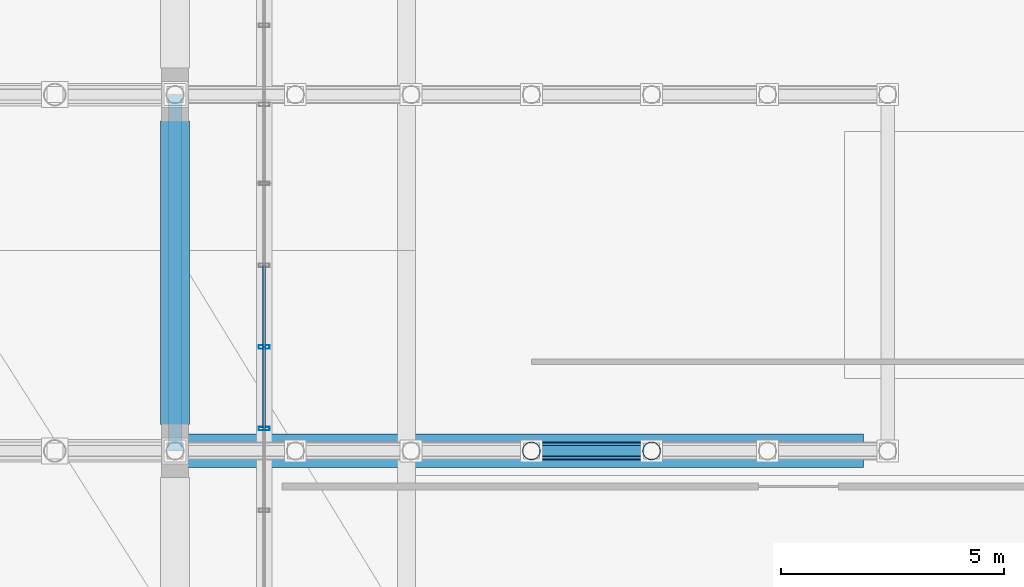
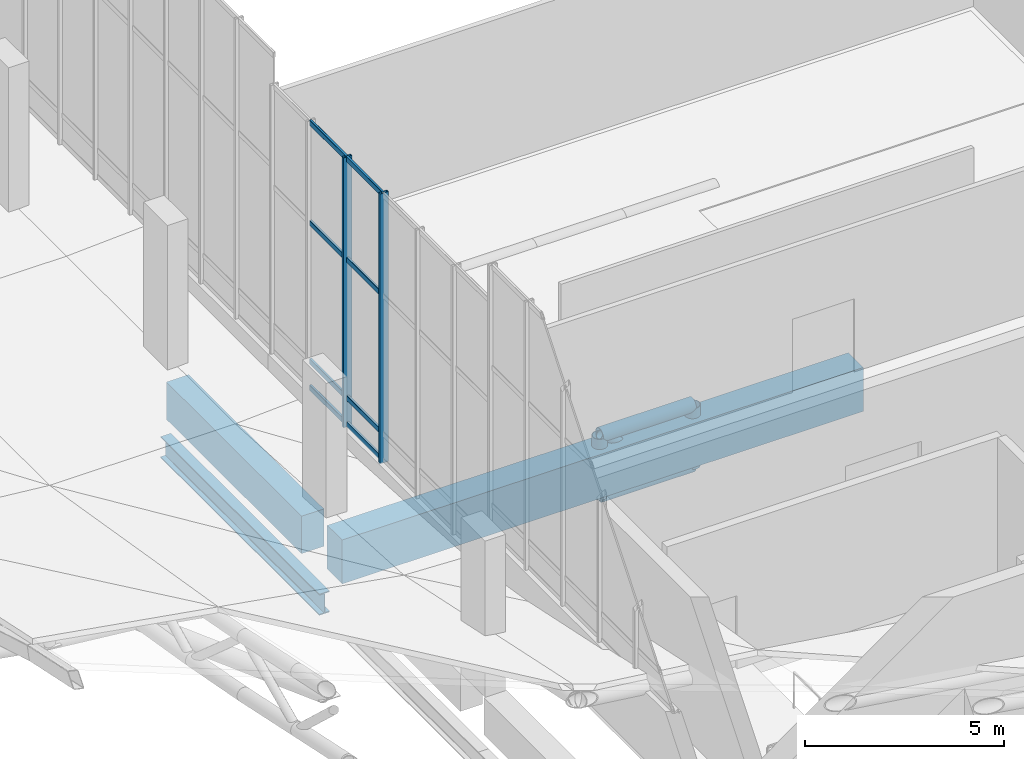
# One storey, part 16 of 137: 15 members, 3 beams, 1 element without a shape of its own.
"""IFC4 building model written with IfcOpenShell, lengths in metres."""

from ifc_helpers import new_model, si_unit, direction, frame, origin, origin_2d, place, context, subcontext, project, spatial, rectangle, hollow_rectangle, hollow_circle, i_section, extrude, material, layer, layer_set, material_profile, profile_set, type_object, element, aggregate, save


model = new_model("IFC4")

# Units and contexts
model_context = context("Model", 3, precision=1e-05, world=origin(), true_north=direction((0.0, 1.0)))
body_context = subcontext(model_context, "Body", "Model", "MODEL_VIEW")
ifc_project = project(units=[si_unit("LENGTHUNIT", "METRE"), si_unit("AREAUNIT", "SQUARE_METRE"), si_unit("VOLUMEUNIT", "CUBIC_METRE"), si_unit("PLANEANGLEUNIT", "RADIAN"), si_unit("MASSUNIT", "GRAM", prefix="KILO")], contexts=[model_context])

# Site, building, storey
site_placement = place(None, origin())
site = spatial("IfcSite", under=ifc_project, at=site_placement, CompositionType="ELEMENT")
building_placement = place(site_placement, origin())
building = spatial("IfcBuilding", under=site, at=building_placement, Name="Khorjan Park Terminus", CompositionType="ELEMENT")
storey_placement = place(building_placement, frame((0.0, 0.0, 11.4)))
storey = spatial("IfcBuildingStorey", under=building, at=storey_placement, Name="L02", CompositionType="ELEMENT", Elevation=11.4)

# Beam
ifc_material_1 = material(Name="Concrete C50/60", Category="concrete")
ifc_material_profile_1 = material_profile(ifc_material_1, rectangle(XDim=0.75, YDim=1.35, at=origin_2d()), Name="RC 750x1350")
ifc_profile_set_1 = profile_set([ifc_material_profile_1], Name="Concrete C50/60")
beam_type_1 = type_object("IfcBeamType", Name="BM-RC750x1350", PredefinedType="BEAM", material=ifc_profile_set_1)
beam_1_placement = place(storey_placement, frame((48.295, 44.0, -1.035), z_axis=(1.0, 0.0, 0.0), x_axis=(0.0, 1.0, 0.0)))
element("IfcBeam", 1, at=beam_1_placement, inside=storey, type_object=beam_type_1, Name="Primary floor girder GB-13 (L02)", PredefinedType="BEAM", context=body_context, shape_type="SweptSolid", body=[
    extrude(rectangle(XDim=0.75, YDim=1.35, at=origin_2d()), origin(), (0.0, 0.0, 1.0), 15.16),
])

# Members
ifc_material_2 = material(Name="Steel S355", Category="steel")
ifc_material_profile_2 = material_profile(ifc_material_2, hollow_circle(Radius=0.1222, WallThickness=0.0125, at=origin_2d()), Name="CHS 244.5x12.5")
ifc_profile_set_2 = profile_set([ifc_material_profile_2], Name="Steel S355")
member_type_1 = type_object("IfcMemberType", Name="MB-BR-245", PredefinedType="BRACE", material=ifc_profile_set_2)
member_1_placement = place(storey_placement, frame((56.0, 44.0, -0.05), z_axis=(0.822082565391, 0.0, -0.569368295289), x_axis=(0.0, 1.0, 0.0)))
element("IfcMember", 2, at=member_1_placement, inside=storey, type_object=member_type_1, Name="Lower shell W/E truss diagonal (W1)", PredefinedType="BRACE", context=body_context, shape_type="SweptSolid", body=[
    extrude(hollow_circle(Radius=0.1222, WallThickness=0.0125, at=origin_2d()), origin(), (0.0, 0.0, 1.0), 3.2843),
])
ifc_material_profile_3 = material_profile(ifc_material_2, hollow_circle(Radius=0.1778, WallThickness=0.016, at=origin_2d()), Name="CHS 355.6x16")
ifc_profile_set_3 = profile_set([ifc_material_profile_3], Name="Steel S355")
member_type_2 = type_object("IfcMemberType", Name="MB-CH-356", PredefinedType="CHORD", material=ifc_profile_set_3)
member_2_placement = place(storey_placement, frame((56.0, 44.0, -1.92), z_axis=(1.0, 0.0, 0.0), x_axis=(0.0, 1.0, 0.0)))
element("IfcMember", 3, at=member_2_placement, inside=storey, type_object=member_type_2, Name="Lower shell W/E truss bottom chord (W1)", PredefinedType="CHORD", context=body_context, shape_type="SweptSolid", body=[
    extrude(hollow_circle(Radius=0.1778, WallThickness=0.016, at=origin_2d()), origin(), (0.0, 0.0, 1.0), 2.7),
])
ifc_material_profile_4 = material_profile(ifc_material_2, hollow_circle(Radius=0.2032, WallThickness=0.016, at=origin_2d()), Name="CHS 406.4x16")
ifc_profile_set_4 = profile_set([ifc_material_profile_4], Name="Steel S355")
member_type_3 = type_object("IfcMemberType", Name="MB-CH-406", PredefinedType="CHORD", material=ifc_profile_set_4)
member_3_placement = place(storey_placement, frame((56.0, 44.0, -0.05), z_axis=(1.0, 0.0, 0.0), x_axis=(0.0, 1.0, 0.0)))
element("IfcMember", 4, at=member_3_placement, inside=storey, type_object=member_type_3, Name="Lower shell W/E truss top chord (W1)", PredefinedType="CHORD", context=body_context, shape_type="SweptSolid", body=[
    extrude(hollow_circle(Radius=0.2032, WallThickness=0.016, at=origin_2d()), origin(), (0.0, 0.0, 1.0), 2.7),
])
ifc_material_profile_5 = material_profile(ifc_material_2, hollow_circle(Radius=0.2032, WallThickness=0.016, at=origin_2d()), Name="CHS 406.4x16")
ifc_profile_set_5 = profile_set([ifc_material_profile_5], Name="Steel S355")
member_type_4 = type_object("IfcMemberType", Name="MB-ST-406", PredefinedType="STRUT", material=ifc_profile_set_5)
for number, where, z_axis, x_axis, name in (
    (5, (56.0, 44.0, -1.92), (0.0, 0.0, 1.0), (1.0, 0.0, 0.0), "Lower shell W/E truss post (W1)"),
    (6, (58.7, 44.0, -1.92), (0.0, 0.0, 1.0), (1.0, 0.0, 0.0), "Lower shell W/E truss post (W1)"),
):
    element("IfcMember", number, at=place(storey_placement, frame(where, z_axis=z_axis, x_axis=x_axis)), inside=storey, type_object=member_type_4, Name=name, PredefinedType="STRUT", context=body_context, shape_type="SweptSolid", body=[
        extrude(hollow_circle(Radius=0.2032, WallThickness=0.016, at=origin_2d()), origin(), (0.0, 0.0, 1.0), 1.87),
    ])

# Curtain wall, members
ifc_material_3 = material(Name="Anodized Bronze Aluminium", Category="aluminium")
ifc_layer = layer(ifc_material_3, 0.22)
ifc_layer_set = layer_set([ifc_layer], Name="Anodized Bronze Aluminium")
curtain_wall_type = type_object("IfcCurtainWallType", Name="CW-CONC-CLR", PredefinedType="NOTDEFINED", material=ifc_layer_set)
curtain_wall_placement = place(storey_placement, origin())
curtain_wall = element("IfcCurtainWall", 7, at=curtain_wall_placement, inside=storey, type_object=curtain_wall_type, Name="Unitized curtain wall CW-CL (CW-V2-W-CLR-02)", PredefinedType="NOTDEFINED")
ifc_material_profile_6 = material_profile(ifc_material_3, hollow_rectangle(XDim=0.08, YDim=0.25, WallThickness=0.005, InnerFilletRadius=0.005, OuterFilletRadius=0.01, at=origin_2d()), Name="ALM 80x250x5")
ifc_profile_set_6 = profile_set([ifc_material_profile_6], Name="Anodized Bronze Aluminium")
member_type_5 = type_object("IfcMemberType", Name="ML-ALM-250", PredefinedType="MULLION", material=ifc_profile_set_6)
member_4_placement = place(storey_placement, frame((50.0, 46.3333, 0.915), z_axis=(0.0, 0.0, 1.0), x_axis=(0.0, -1.0, 0.0)))
member_4 = element("IfcMember", 8, at=member_4_placement, type_object=member_type_5, Name="Curtain-wall mullion ML-25 (CW-V2-W-CLR-02-2)", PredefinedType="MULLION", context=body_context, shape_type="SweptSolid", body=[
    extrude(hollow_rectangle(XDim=0.08, YDim=0.25, WallThickness=0.005, InnerFilletRadius=0.005, OuterFilletRadius=0.01, at=origin_2d()), origin(), (0.0, 0.0, 1.0), 8.2978),
])
member_5_placement = place(storey_placement, frame((50.0, 44.5, 0.915), z_axis=(0.0, 0.0, 1.0), x_axis=(0.0, -1.0, 0.0)))
member_5 = element("IfcMember", 9, at=member_5_placement, type_object=member_type_5, Name="Curtain-wall mullion ML-25 (CW-V2-W-CLR-02-3)", PredefinedType="MULLION", context=body_context, shape_type="SweptSolid", body=[
    extrude(hollow_rectangle(XDim=0.08, YDim=0.25, WallThickness=0.005, InnerFilletRadius=0.005, OuterFilletRadius=0.01, at=origin_2d()), origin(), (0.0, 0.0, 1.0), 8.2978),
])

# Beams
ifc_material_profile_7 = material_profile(ifc_material_2, i_section(OverallWidth=0.3, OverallDepth=0.65, WebThickness=0.016, FlangeThickness=0.031, FilletRadius=0.027, at=origin_2d()), Name="HEB 650")
ifc_profile_set_7 = profile_set([ifc_material_profile_7], Name="Steel S355")
beam_type_2 = type_object("IfcBeamType", Name="SP-HEB650E", PredefinedType="SPANDREL", material=ifc_profile_set_7)
beam_2_placement = place(storey_placement, frame((48.0, 44.0, -2.425), z_axis=(0.0, 1.0, 0.0), x_axis=(-1.0, 0.0, 0.0)))
element("IfcBeam", 10, at=beam_2_placement, inside=storey, type_object=beam_type_2, Name="Lower shell truss support girder SP-E65 (Y34)", PredefinedType="SPANDREL", context=body_context, shape_type="SweptSolid", body=[
    extrude(i_section(OverallWidth=0.3, OverallDepth=0.65, WebThickness=0.016, FlangeThickness=0.031, FilletRadius=0.027, at=origin_2d()), origin(), (0.0, 0.0, 1.0), 8.0),
])
ifc_material_profile_8 = material_profile(ifc_material_1, rectangle(XDim=0.65, YDim=1.15, at=origin_2d()), Name="RC 650x1150")
ifc_profile_set_8 = profile_set([ifc_material_profile_8], Name="Concrete C50/60")
beam_type_3 = type_object("IfcBeamType", Name="SP-RC650x1150", PredefinedType="SPANDREL", material=ifc_profile_set_8)
beam_3_placement = place(storey_placement, frame((48.0, 44.595, -0.575), z_axis=(0.0, 1.0, 0.0), x_axis=(-1.0, 0.0, 0.0)))
element("IfcBeam", 11, at=beam_3_placement, inside=storey, type_object=beam_type_3, Name="Concourse lower colonnade ring beam SP-11 (L02-63)", PredefinedType="SPANDREL", context=body_context, shape_type="SweptSolid", body=[
    extrude(rectangle(XDim=0.65, YDim=1.15, at=origin_2d()), origin(), (0.0, 0.0, 1.0), 6.81),
])

# Member
ifc_material_profile_9 = material_profile(ifc_material_3, hollow_rectangle(XDim=0.07, YDim=0.16, WallThickness=0.004, InnerFilletRadius=0.004, OuterFilletRadius=0.008, at=origin_2d()), Name="ALT 70x160x4")
ifc_profile_set_9 = profile_set([ifc_material_profile_9], Name="Anodized Bronze Aluminium")
member_type_6 = type_object("IfcMemberType", Name="TR-ALT-160", PredefinedType="USERDEFINED", material=ifc_profile_set_9)
member_6_placement = place(storey_placement, frame((50.0, 48.1667, 0.99), z_axis=(0.0, -1.0, 0.0), x_axis=(1.0, 0.0, 0.0)))
member_6 = element("IfcMember", 12, at=member_6_placement, type_object=member_type_6, Name="Curtain-wall transom TR-16 (CW-V2-W-CLR-02-1-1)", ObjectType="TRANSOM", PredefinedType="USERDEFINED", context=body_context, shape_type="SweptSolid", body=[
    extrude(hollow_rectangle(XDim=0.07, YDim=0.16, WallThickness=0.004, InnerFilletRadius=0.004, OuterFilletRadius=0.008, at=origin_2d()), origin(), (0.0, 0.0, 1.0), 1.8334),
])

member_7_placement = place(storey_placement, frame((50.0, 48.1667, 1.8), z_axis=(0.0, -1.0, 0.0), x_axis=(1.0, 0.0, 0.0)))
member_7 = element("IfcMember", 13, at=member_7_placement, type_object=member_type_6, Name="Curtain-wall transom TR-16 (CW-V2-W-CLR-02-1-2)", ObjectType="TRANSOM", PredefinedType="USERDEFINED", context=body_context, shape_type="SweptSolid", body=[
    extrude(hollow_rectangle(XDim=0.07, YDim=0.16, WallThickness=0.004, InnerFilletRadius=0.004, OuterFilletRadius=0.008, at=origin_2d()), origin(), (0.0, 0.0, 1.0), 1.8334),
])

member_8_placement = place(storey_placement, frame((50.0, 48.1667, 6.0512), z_axis=(0.0, -1.0, 0.0), x_axis=(1.0, 0.0, 0.0)))
member_8 = element("IfcMember", 14, at=member_8_placement, type_object=member_type_6, Name="Curtain-wall transom TR-16 (CW-V2-W-CLR-02-1-3)", ObjectType="TRANSOM", PredefinedType="USERDEFINED", context=body_context, shape_type="SweptSolid", body=[
    extrude(hollow_rectangle(XDim=0.07, YDim=0.16, WallThickness=0.004, InnerFilletRadius=0.004, OuterFilletRadius=0.008, at=origin_2d()), origin(), (0.0, 0.0, 1.0), 1.8334),
])

member_9_placement = place(storey_placement, frame((50.0, 48.1667, 9.1378), z_axis=(0.0, -1.0, 0.0), x_axis=(1.0, 0.0, 0.0)))
member_9 = element("IfcMember", 15, at=member_9_placement, type_object=member_type_6, Name="Curtain-wall transom TR-16 (CW-V2-W-CLR-02-1-4)", ObjectType="TRANSOM", PredefinedType="USERDEFINED", context=body_context, shape_type="SweptSolid", body=[
    extrude(hollow_rectangle(XDim=0.07, YDim=0.16, WallThickness=0.004, InnerFilletRadius=0.004, OuterFilletRadius=0.008, at=origin_2d()), origin(), (0.0, 0.0, 1.0), 1.8334),
])

member_10_placement = place(storey_placement, frame((50.0, 46.3333, 0.99), z_axis=(0.0, -1.0, 0.0), x_axis=(1.0, 0.0, 0.0)))
member_10 = element("IfcMember", 16, at=member_10_placement, type_object=member_type_6, Name="Curtain-wall transom TR-16 (CW-V2-W-CLR-02-2-1)", ObjectType="TRANSOM", PredefinedType="USERDEFINED", context=body_context, shape_type="SweptSolid", body=[
    extrude(hollow_rectangle(XDim=0.07, YDim=0.16, WallThickness=0.004, InnerFilletRadius=0.004, OuterFilletRadius=0.008, at=origin_2d()), origin(), (0.0, 0.0, 1.0), 1.8333),
])

member_11_placement = place(storey_placement, frame((50.0, 46.3333, 1.8), z_axis=(0.0, -1.0, 0.0), x_axis=(1.0, 0.0, 0.0)))
member_11 = element("IfcMember", 17, at=member_11_placement, type_object=member_type_6, Name="Curtain-wall transom TR-16 (CW-V2-W-CLR-02-2-2)", ObjectType="TRANSOM", PredefinedType="USERDEFINED", context=body_context, shape_type="SweptSolid", body=[
    extrude(hollow_rectangle(XDim=0.07, YDim=0.16, WallThickness=0.004, InnerFilletRadius=0.004, OuterFilletRadius=0.008, at=origin_2d()), origin(), (0.0, 0.0, 1.0), 1.8333),
])

member_12_placement = place(storey_placement, frame((50.0, 46.3333, 6.0512), z_axis=(0.0, -1.0, 0.0), x_axis=(1.0, 0.0, 0.0)))
member_12 = element("IfcMember", 18, at=member_12_placement, type_object=member_type_6, Name="Curtain-wall transom TR-16 (CW-V2-W-CLR-02-2-3)", ObjectType="TRANSOM", PredefinedType="USERDEFINED", context=body_context, shape_type="SweptSolid", body=[
    extrude(hollow_rectangle(XDim=0.07, YDim=0.16, WallThickness=0.004, InnerFilletRadius=0.004, OuterFilletRadius=0.008, at=origin_2d()), origin(), (0.0, 0.0, 1.0), 1.8333),
])

member_13_placement = place(storey_placement, frame((50.0, 46.3333, 9.1378), z_axis=(0.0, -1.0, 0.0), x_axis=(1.0, 0.0, 0.0)))
member_13 = element("IfcMember", 19, at=member_13_placement, type_object=member_type_6, Name="Curtain-wall transom TR-16 (CW-V2-W-CLR-02-2-4)", ObjectType="TRANSOM", PredefinedType="USERDEFINED", context=body_context, shape_type="SweptSolid", body=[
    extrude(hollow_rectangle(XDim=0.07, YDim=0.16, WallThickness=0.004, InnerFilletRadius=0.004, OuterFilletRadius=0.008, at=origin_2d()), origin(), (0.0, 0.0, 1.0), 1.8333),
])

aggregate(curtain_wall, [member_4, member_5, member_6, member_7, member_8, member_9, member_10, member_11, member_12, member_13])

save(model, "model.ifc")
